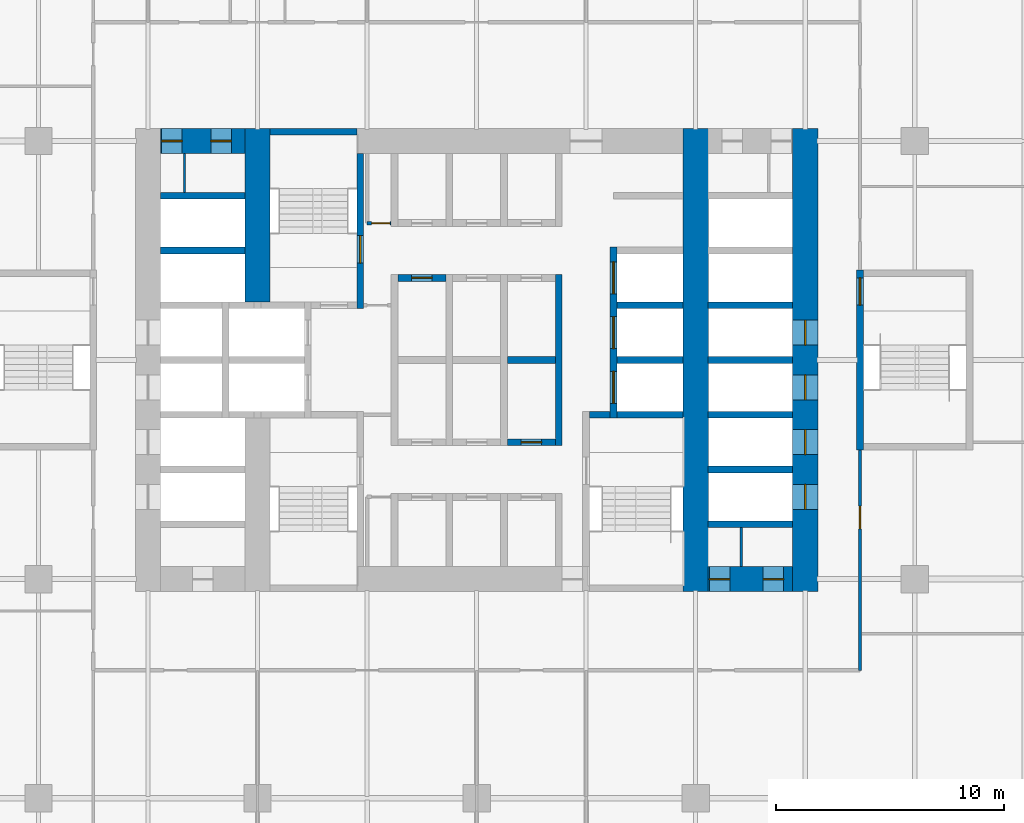
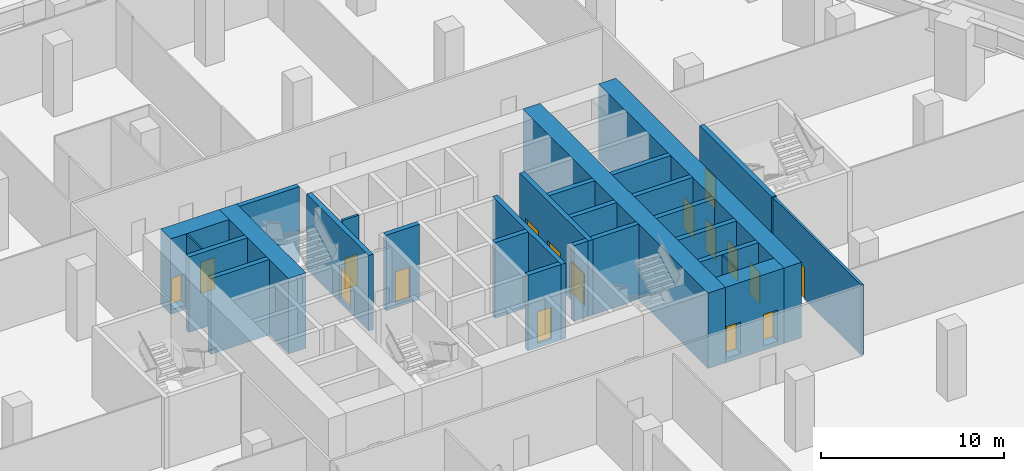
# One storey, part 21 of 34: 28 walls, 17 doors, 17 openings.
"""IFC4 building model written with IfcOpenShell, lengths in metres."""

import ifcopenshell
import ifcopenshell.guid

model = None  # the IFC model being written
_history = None  # IfcOwnerHistory: only IFC2X3 demands one
_inside = {}  # id of a spatial element -> (the spatial element, [elements in it])
_under = {}  # id of a project, library or spatial element -> (it, [spatial elements below it])
_declared = {}  # id of a project -> (the project, [libraries it declares])
_typed = {}  # id of a type object -> (the type object, [elements of that type])
_made_of = {}  # id of a material, layer set ... -> (it, [elements and type objects made of it])


def new_model(schema):
    """Start an empty IFC model of exactly this schema.

    Asked for "IFC4X3", IfcOpenShell would pick the latest addendum, in which some entities
    have other attributes; the version numbers below select the first issue.
    IFC2X3 requires an IfcOwnerHistory on every rooted entity: one is made here for all.
    """
    global model, _history
    if schema == "IFC4X3":
        model = ifcopenshell.file(schema_version=(4, 3, 0, 0))
    else:
        model = ifcopenshell.file(schema=schema)
    _inside.clear()
    _under.clear()
    _declared.clear()
    _typed.clear()
    _made_of.clear()
    _history = None
    if model.schema == "IFC2X3":
        org = make("IfcOrganization", Name="unknown")
        user = make(
            "IfcPersonAndOrganization",
            ThePerson=make("IfcPerson", FamilyName="unknown"),
            TheOrganization=org,
        )
        app = make(
            "IfcApplication",
            ApplicationDeveloper=org,
            Version="unknown",
            ApplicationFullName="unknown",
            ApplicationIdentifier="unknown",
        )
        _history = make(
            "IfcOwnerHistory",
            OwningUser=user,
            OwningApplication=app,
            ChangeAction="ADDED",
            CreationDate=0,
        )
    return model


def make(cls, **values):
    """One entity of the class cls with the attributes given. An attribute that is None is left unset."""
    return model.create_entity(
        cls, **{name: value for name, value in values.items() if value is not None}
    )


def rooted(cls, **values):
    """An entity with a GlobalId (a new one), such as an element, a storey or a relation."""
    return make(cls, GlobalId=ifcopenshell.guid.new(), OwnerHistory=_history, **values)


def si_unit(unit_type, name, prefix=None):
    """IfcSIUnit, for example si_unit("LENGTHUNIT", "METRE", prefix="MILLI")."""
    return make("IfcSIUnit", UnitType=unit_type, Prefix=prefix, Name=name)


def assignment(units):
    """IfcUnitAssignment: the units of a project."""
    return None if units is None else make("IfcUnitAssignment", Units=units)


def point(xyz):
    """IfcCartesianPoint."""
    return None if xyz is None else make("IfcCartesianPoint", Coordinates=xyz)


def direction(xyz):
    """IfcDirection."""
    return None if xyz is None else make("IfcDirection", DirectionRatios=xyz)


def frame(location, z_axis=None, x_axis=None):
    """IfcAxis2Placement3D, a coordinate frame: its origin and axes. An axis left out is left unset."""
    return make(
        "IfcAxis2Placement3D",
        Location=point(location),
        Axis=direction(z_axis),
        RefDirection=direction(x_axis),
    )


def frame_2d(location, x_axis=None):
    """IfcAxis2Placement2D, a coordinate frame in the plane: its origin and x axis."""
    return make(
        "IfcAxis2Placement2D", Location=point(location), RefDirection=direction(x_axis)
    )


def origin():
    """The frame at (0, 0, 0) with its axes left unset."""
    return frame((0.0, 0.0, 0.0))


def place(relative_to, where):
    """IfcLocalPlacement: puts the frame where relative to a parent placement (None: the world)."""
    return make(
        "IfcLocalPlacement", PlacementRelTo=relative_to, RelativePlacement=where
    )


def context(
    kind, dimensions, precision=None, world=None, true_north=None, identifier=None
):
    """IfcGeometricRepresentationContext, for example the 3D "Model" context."""
    return make(
        "IfcGeometricRepresentationContext",
        ContextIdentifier=identifier,
        ContextType=kind,
        CoordinateSpaceDimension=dimensions,
        Precision=precision,
        WorldCoordinateSystem=world,
        TrueNorth=true_north,
    )


def subcontext(parent, identifier, kind, view, scale=None):
    """IfcGeometricRepresentationSubContext, for example "Body" below "Model"."""
    return make(
        "IfcGeometricRepresentationSubContext",
        ContextIdentifier=identifier,
        ContextType=kind,
        ParentContext=parent,
        TargetScale=scale,
        TargetView=view,
    )


def project(units=None, contexts=None):
    """IfcProject with its units and contexts."""
    return rooted(
        "IfcProject",
        Name="project",
        RepresentationContexts=contexts,
        UnitsInContext=assignment(units),
    )


def spatial(cls, under=None, at=None, **own):
    """A site, building, storey or space (cls), placed at a placement, below another one or the project."""
    s = rooted(cls, ObjectPlacement=at, **own)
    if under is not None:
        _under.setdefault(under.id(), (under, []))[1].append(s)
    return s


def profile(cls, at=None, kind="AREA", **sizes):
    """A parametric profile (cls). Its sizes go by their IFC names, for example OverallWidth=200.0."""
    return make(cls, ProfileType=kind, Position=at, **sizes)


def rectangle(**sizes):
    """IfcRectangleProfileDef."""
    return profile("IfcRectangleProfileDef", **sizes)


def extrude(swept, where, along, depth):
    """IfcExtrudedAreaSolid: the profile swept, set in the frame where, extruded along a direction by depth."""
    return make(
        "IfcExtrudedAreaSolid",
        SweptArea=swept,
        Position=where,
        ExtrudedDirection=direction(along),
        Depth=depth,
    )


def shape(context_of_items, identifier, shape_type, items):
    """IfcShapeRepresentation: the items that make up one representation, for example the "Body"."""
    return make(
        "IfcShapeRepresentation",
        ContextOfItems=context_of_items,
        RepresentationIdentifier=identifier,
        RepresentationType=shape_type,
        Items=items,
    )


def material(Name=None, Category=None):
    """IfcMaterial."""
    return make("IfcMaterial", Name=Name, Category=Category)


def layer(
    of_material, thickness, ventilated=None, Name=None, Category=None, Priority=None
):
    """IfcMaterialLayer: one layer of a wall or slab, of a material (None: an air gap)."""
    return make(
        "IfcMaterialLayer",
        Material=of_material,
        LayerThickness=thickness,
        IsVentilated=ventilated,
        Name=Name,
        Category=Category,
        Priority=Priority,
    )


def layer_set(layers, Name=None):
    """IfcMaterialLayerSet."""
    return make("IfcMaterialLayerSet", MaterialLayers=layers, LayerSetName=Name)


def made_of(thing, what):
    """Note that an element or type object is made of a material, layer set ...; save() writes the relation."""
    if what is not None:
        _made_of.setdefault(what.id(), (what, []))[1].append(thing)
    return thing


def type_object(cls, material=None, **own):
    """A type object (cls), such as IfcWallType, which elements share."""
    return made_of(rooted(cls, **own), material)


def element(
    cls,
    number,
    at=None,
    inside=None,
    cuts=None,
    type_object=None,
    material=None,
    context=None,
    identifier="Body",
    shape_type=None,
    held_by="IfcProductDefinitionShape",
    body=None,
    shapes=None,
    **own,
):
    """One element of the class cls, such as IfcWall. Its Tag is "e" and its number.

    at: its placement. inside: the storey or other place that contains it. cuts: it is an
    opening in that element (IfcRelVoidsElement). A single representation is given by context,
    identifier, shape_type and body (its items); several are given by shapes. held_by: the class
    of the entity that holds the representations. save() writes the other relations.
    """
    e = rooted(cls, Tag="e%d" % number, ObjectPlacement=at, **own)
    if body is not None:
        shapes = [shape(context, identifier, shape_type, body)]
    if shapes is not None:
        e.Representation = make(held_by, Representations=shapes)
    if inside is not None:
        _inside.setdefault(inside.id(), (inside, []))[1].append(e)
    if cuts is not None:
        rooted(
            "IfcRelVoidsElement", RelatingBuildingElement=cuts, RelatedOpeningElement=e
        )
    if type_object is not None:
        _typed.setdefault(type_object.id(), (type_object, []))[1].append(e)
    return made_of(e, material)


def fill(opening, filler):
    """IfcRelFillsElement: the door or window that sits in an opening."""
    return rooted(
        "IfcRelFillsElement",
        RelatingOpeningElement=opening,
        RelatedBuildingElement=filler,
    )


def aggregate(whole, parts):
    """IfcRelAggregates: a whole, such as a stair, and the parts it consists of."""
    return rooted("IfcRelAggregates", RelatingObject=whole, RelatedObjects=parts)


def save(model, path):
    """Write the relations noted so far, then the file.

    IfcRelAggregates (storeys below a building ...), IfcRelContainedInSpatialStructure (elements
    in a storey), IfcRelDefinesByType, IfcRelAssociatesMaterial and IfcRelDeclares: one each for
    every whole, place, type object, material and project.
    """
    for whole, parts in _under.values():
        aggregate(whole, parts)
    for where, things in _inside.values():
        rooted(
            "IfcRelContainedInSpatialStructure",
            RelatedElements=things,
            RelatingStructure=where,
        )
    for kind, things in _typed.values():
        rooted("IfcRelDefinesByType", RelatedObjects=things, RelatingType=kind)
    for what, things in _made_of.values():
        rooted("IfcRelAssociatesMaterial", RelatedObjects=things, RelatingMaterial=what)
    for by, libraries in _declared.values():
        rooted("IfcRelDeclares", RelatingContext=by, RelatedDefinitions=libraries)
    model.write(path)


model = new_model("IFC4")

# Units and contexts
model_context = context("Model", 3, precision=1e-05, world=origin(), true_north=direction((0.0, 1.0)))
body_context = subcontext(model_context, "Body", "Model", "MODEL_VIEW")
ifc_project = project(units=[si_unit("LENGTHUNIT", "METRE"), si_unit("AREAUNIT", "SQUARE_METRE"), si_unit("VOLUMEUNIT", "CUBIC_METRE"), si_unit("PLANEANGLEUNIT", "RADIAN"), si_unit("MASSUNIT", "GRAM", prefix="KILO")], contexts=[model_context])

# Site, building, storey
site_placement = place(None, origin())
site = spatial("IfcSite", under=ifc_project, at=site_placement, CompositionType="ELEMENT")
building_placement = place(site_placement, origin())
building = spatial("IfcBuilding", under=site, at=building_placement, Name="Kolab Exchange Tower", CompositionType="ELEMENT")
storey_placement = place(building_placement, frame((0.0, 0.0, 12.39990234375)))
storey = spatial("IfcBuildingStorey", under=building, at=storey_placement, Name="L02", CompositionType="ELEMENT", Elevation=12.39990234375)

# Wall, openings, doors
ifc_material_1 = material(Name="Concrete C80/95", Category="concrete")
ifc_layer_1 = layer(ifc_material_1, 1.10009765625)
ifc_layer_set_1 = layer_set([ifc_layer_1], Name="Concrete C80/95")
wall_type_1 = type_object("IfcWallType", Name="CORE WALL 1100 C80/95", PredefinedType="SHEAR", material=ifc_layer_set_1)
wall_1_placement = place(storey_placement, frame((10.14990234375, -9.60009765625, -0.2998046875), z_axis=(0.0, 0.0, 1.0), x_axis=(1.0, 0.0, 0.0)))
wall_1 = element("IfcWall", 1, at=wall_1_placement, inside=storey, type_object=wall_type_1, Name="wall/L02/core/004", PredefinedType="SHEAR", context=body_context, shape_type="SweptSolid", body=[
    extrude(rectangle(XDim=3.7001953125, YDim=1.10009765625, at=frame_2d((1.85009765625, 0.0))), origin(), (0.0, 0.0, 1.0), 5.0498046875),
])
opening_1_placement = place(wall_1_placement, frame((0.050048828125, 0.0, 0.300048828125)))
opening_1 = element("IfcOpeningElement", 2, at=opening_1_placement, cuts=wall_1, Name="Opening D6-059", PredefinedType="OPENING", context=body_context, shape_type="SweptSolid", body=[
    extrude(rectangle(XDim=0.89990234375, YDim=2.10009765625, at=frame_2d((0.449951171875, 1.050048828125))), frame((0.0, 0.56005859375, 0.0), z_axis=(0.0, -1.0, 0.0), x_axis=(1.0, 0.0, 0.0)), (0.0, 0.0, 1.0), 1.1201171875),
])
opening_2_placement = place(wall_1_placement, frame((2.39990234375, 0.0, 0.300048828125)))
opening_2 = element("IfcOpeningElement", 3, at=opening_2_placement, cuts=wall_1, Name="Opening D6-060", PredefinedType="OPENING", context=body_context, shape_type="SweptSolid", body=[
    extrude(rectangle(XDim=0.89990234375, YDim=2.10009765625, at=frame_2d((0.449951171875, 1.050048828125))), frame((0.0, 0.56005859375, 0.0), z_axis=(0.0, -1.0, 0.0), x_axis=(1.0, 0.0, 0.0)), (0.0, 0.0, 1.0), 1.1201171875),
])
ifc_material_2 = material(Name="Steel S235", Category="steel")
door_type_1 = type_object("IfcDoorType", Name="CORE DOOR 900 EI 120", OperationType="SINGLE_SWING_LEFT", PredefinedType="DOOR", material=ifc_material_2)
door_1_placement = place(opening_1_placement, origin())
door_1 = element("IfcDoor", 4, at=door_1_placement, inside=storey, type_object=door_type_1, Name="Service room door", OperationType="SINGLE_SWING_RIGHT", OverallHeight=2.10009765625, OverallWidth=0.89990234375, PredefinedType="DOOR", context=body_context, shape_type="SweptSolid", body=[
    extrude(rectangle(XDim=0.89990234375, YDim=2.10009765625, at=frame_2d((0.449951171875, 1.050048828125))), frame((0.0, 0.02490234375, 0.0), z_axis=(0.0, -1.0, 0.0), x_axis=(1.0, 0.0, 0.0)), (0.0, 0.0, 1.0), 0.050048828125),
])
fill(opening_1, door_1)
door_2_placement = place(opening_2_placement, origin())
door_2 = element("IfcDoor", 5, at=door_2_placement, inside=storey, type_object=door_type_1, Name="Service room door", OperationType="SINGLE_SWING_LEFT", OverallHeight=2.10009765625, OverallWidth=0.89990234375, PredefinedType="DOOR", context=body_context, shape_type="SweptSolid", body=[
    extrude(rectangle(XDim=0.89990234375, YDim=2.10009765625, at=frame_2d((0.449951171875, 1.050048828125))), frame((0.0, 0.02490234375, 0.0), z_axis=(0.0, -1.0, 0.0), x_axis=(1.0, 0.0, 0.0)), (0.0, 0.0, 1.0), 0.050048828125),
])
fill(opening_2, door_2)

wall_2_placement = place(storey_placement, frame((-13.85009765625, 9.60009765625, -0.2998046875), z_axis=(0.0, 0.0, 1.0), x_axis=(1.0, 0.0, 0.0)))
wall_2 = element("IfcWall", 6, at=wall_2_placement, inside=storey, type_object=wall_type_1, Name="wall/L02/core/051", PredefinedType="SHEAR", context=body_context, shape_type="SweptSolid", body=[
    extrude(rectangle(XDim=3.7001953125, YDim=1.10009765625, at=frame_2d((1.85009765625, 0.0))), origin(), (0.0, 0.0, 1.0), 5.0498046875),
])
opening_3_placement = place(wall_2_placement, frame((0.050048828125, 0.0, 0.300048828125)))
opening_3 = element("IfcOpeningElement", 7, at=opening_3_placement, cuts=wall_2, Name="Opening D6-057", PredefinedType="OPENING", context=body_context, shape_type="SweptSolid", body=[
    extrude(rectangle(XDim=0.89990234375, YDim=2.10009765625, at=frame_2d((0.449951171875, 1.050048828125))), frame((0.0, 0.56005859375, 0.0), z_axis=(0.0, -1.0, 0.0), x_axis=(1.0, 0.0, 0.0)), (0.0, 0.0, 1.0), 1.1201171875),
])
opening_4_placement = place(wall_2_placement, frame((2.199951171875, 0.0, 0.300048828125)))
opening_4 = element("IfcOpeningElement", 8, at=opening_4_placement, cuts=wall_2, Name="Opening D6-058", PredefinedType="OPENING", context=body_context, shape_type="SweptSolid", body=[
    extrude(rectangle(XDim=0.89990234375, YDim=2.10009765625, at=frame_2d((0.449951171875, 1.050048828125))), frame((0.0, 0.56005859375, 0.0), z_axis=(0.0, -1.0, 0.0), x_axis=(1.0, 0.0, 0.0)), (0.0, 0.0, 1.0), 1.1201171875),
])
door_3_placement = place(opening_3_placement, frame((0.89990234375, 0.0, 0.0), z_axis=(0.0, 0.0, 1.0), x_axis=(-1.0, 0.0, 0.0)))
door_3 = element("IfcDoor", 9, at=door_3_placement, inside=storey, type_object=door_type_1, Name="Service room door", OperationType="SINGLE_SWING_RIGHT", OverallHeight=2.10009765625, OverallWidth=0.89990234375, PredefinedType="DOOR", context=body_context, shape_type="SweptSolid", body=[
    extrude(rectangle(XDim=0.89990234375, YDim=2.10009765625, at=frame_2d((0.449951171875, 1.050048828125))), frame((0.0, 0.02490234375, 0.0), z_axis=(0.0, -1.0, 0.0), x_axis=(1.0, 0.0, 0.0)), (0.0, 0.0, 1.0), 0.050048828125),
])
fill(opening_3, door_3)
door_4_placement = place(opening_4_placement, frame((0.89990234375, 0.0, 0.0), z_axis=(0.0, 0.0, 1.0), x_axis=(-1.0, 0.0, 0.0)))
door_4 = element("IfcDoor", 10, at=door_4_placement, inside=storey, type_object=door_type_1, Name="Service room door", OperationType="SINGLE_SWING_RIGHT", OverallHeight=2.10009765625, OverallWidth=0.89990234375, PredefinedType="DOOR", context=body_context, shape_type="SweptSolid", body=[
    extrude(rectangle(XDim=0.89990234375, YDim=2.10009765625, at=frame_2d((0.449951171875, 1.050048828125))), frame((0.0, 0.02490234375, 0.0), z_axis=(0.0, -1.0, 0.0), x_axis=(1.0, 0.0, 0.0)), (0.0, 0.0, 1.0), 0.050048828125),
])
fill(opening_4, door_4)

# Walls
wall_3_placement = place(storey_placement, frame((-9.60009765625, 2.550048828125, -0.2998046875), z_axis=(0.0, 0.0, 1.0), x_axis=(0.0, 1.0, 0.0)))
element("IfcWall", 11, at=wall_3_placement, inside=storey, type_object=wall_type_1, Name="wall/L02/core/062", PredefinedType="SHEAR", context=body_context, shape_type="SweptSolid", body=[
    extrude(rectangle(XDim=7.599853515625, YDim=1.10009765625, at=frame_2d((3.7998046875, 0.0))), origin(), (0.0, 0.0, 1.0), 5.0498046875),
])
wall_4_placement = place(storey_placement, frame((9.60009765625, -10.14990234375, -0.2998046875), z_axis=(0.0, 0.0, 1.0), x_axis=(0.0, 1.0, 0.0)))
element("IfcWall", 12, at=wall_4_placement, inside=storey, type_object=wall_type_1, Name="wall/L02/core/080", PredefinedType="SHEAR", context=body_context, shape_type="SweptSolid", body=[
    extrude(rectangle(XDim=20.2998046875, YDim=1.10009765625, at=frame_2d((10.14990234375, 0.0))), origin(), (0.0, 0.0, 1.0), 5.0498046875),
])

# Wall, openings, doors
wall_5_placement = place(storey_placement, frame((14.39990234375, -10.14990234375, -0.2998046875), z_axis=(0.0, 0.0, 1.0), x_axis=(0.0, 1.0, 0.0)))
wall_5 = element("IfcWall", 13, at=wall_5_placement, inside=storey, type_object=wall_type_1, Name="wall/L02/core/081", PredefinedType="SHEAR", context=body_context, shape_type="SweptSolid", body=[
    extrude(rectangle(XDim=20.2998046875, YDim=1.10009765625, at=frame_2d((10.14990234375, 0.0))), origin(), (0.0, 0.0, 1.0), 5.0498046875),
])
opening_5_placement = place(wall_5_placement, frame((3.60009765625, 0.0, 0.300048828125)))
opening_5 = element("IfcOpeningElement", 14, at=opening_5_placement, cuts=wall_5, Name="Opening LD1-021", PredefinedType="OPENING", context=body_context, shape_type="SweptSolid", body=[
    extrude(rectangle(XDim=1.10009765625, YDim=2.10009765625, at=frame_2d((0.550048828125, 1.050048828125))), frame((0.0, 0.56005859375, 0.0), z_axis=(0.0, -1.0, 0.0), x_axis=(1.0, 0.0, 0.0)), (0.0, 0.0, 1.0), 1.1201171875),
])
opening_6_placement = place(wall_5_placement, frame((6.0, 0.0, 0.300048828125)))
opening_6 = element("IfcOpeningElement", 15, at=opening_6_placement, cuts=wall_5, Name="Opening LD1-022", PredefinedType="OPENING", context=body_context, shape_type="SweptSolid", body=[
    extrude(rectangle(XDim=1.10009765625, YDim=2.10009765625, at=frame_2d((0.550048828125, 1.050048828125))), frame((0.0, 0.56005859375, 0.0), z_axis=(0.0, -1.0, 0.0), x_axis=(1.0, 0.0, 0.0)), (0.0, 0.0, 1.0), 1.1201171875),
])
opening_7_placement = place(wall_5_placement, frame((8.39990234375, 0.0, 0.300048828125)))
opening_7 = element("IfcOpeningElement", 16, at=opening_7_placement, cuts=wall_5, Name="Opening LD1-023", PredefinedType="OPENING", context=body_context, shape_type="SweptSolid", body=[
    extrude(rectangle(XDim=1.10009765625, YDim=2.10009765625, at=frame_2d((0.550048828125, 1.050048828125))), frame((0.0, 0.56005859375, 0.0), z_axis=(0.0, -1.0, 0.0), x_axis=(1.0, 0.0, 0.0)), (0.0, 0.0, 1.0), 1.1201171875),
])
opening_8_placement = place(wall_5_placement, frame((10.800048828125, 0.0, 0.300048828125)))
opening_8 = element("IfcOpeningElement", 17, at=opening_8_placement, cuts=wall_5, Name="Opening LD1-024", PredefinedType="OPENING", context=body_context, shape_type="SweptSolid", body=[
    extrude(rectangle(XDim=1.10009765625, YDim=2.10009765625, at=frame_2d((0.550048828125, 1.050048828125))), frame((0.0, 0.56005859375, 0.0), z_axis=(0.0, -1.0, 0.0), x_axis=(1.0, 0.0, 0.0)), (0.0, 0.0, 1.0), 1.1201171875),
])
ifc_material_3 = material(Name="Stainless steel 316", Category="steel")
door_type_2 = type_object("IfcDoorType", Name="LANDING DOOR 1100 PASSENGER", OperationType="DOUBLE_DOOR_SLIDING", PredefinedType="DOOR", material=ifc_material_3)
door_5_placement = place(opening_5_placement, origin())
door_5 = element("IfcDoor", 18, at=door_5_placement, inside=storey, type_object=door_type_2, Name="Landing door LR1", OperationType="DOUBLE_DOOR_SLIDING", OverallHeight=2.10009765625, OverallWidth=1.10009765625, PredefinedType="DOOR", context=body_context, shape_type="SweptSolid", body=[
    extrude(rectangle(XDim=1.10009765625, YDim=2.10009765625, at=frame_2d((0.550048828125, 1.050048828125))), frame((0.0, 0.02490234375, 0.0), z_axis=(0.0, -1.0, 0.0), x_axis=(1.0, 0.0, 0.0)), (0.0, 0.0, 1.0), 0.050048828125),
])
fill(opening_5, door_5)
door_6_placement = place(opening_6_placement, origin())
door_6 = element("IfcDoor", 19, at=door_6_placement, inside=storey, type_object=door_type_2, Name="Landing door LR2", OperationType="DOUBLE_DOOR_SLIDING", OverallHeight=2.10009765625, OverallWidth=1.10009765625, PredefinedType="DOOR", context=body_context, shape_type="SweptSolid", body=[
    extrude(rectangle(XDim=1.10009765625, YDim=2.10009765625, at=frame_2d((0.550048828125, 1.050048828125))), frame((0.0, 0.02490234375, 0.0), z_axis=(0.0, -1.0, 0.0), x_axis=(1.0, 0.0, 0.0)), (0.0, 0.0, 1.0), 0.050048828125),
])
fill(opening_6, door_6)
door_7_placement = place(opening_7_placement, origin())
door_7 = element("IfcDoor", 20, at=door_7_placement, inside=storey, type_object=door_type_2, Name="Landing door LR3", OperationType="DOUBLE_DOOR_SLIDING", OverallHeight=2.10009765625, OverallWidth=1.10009765625, PredefinedType="DOOR", context=body_context, shape_type="SweptSolid", body=[
    extrude(rectangle(XDim=1.10009765625, YDim=2.10009765625, at=frame_2d((0.550048828125, 1.050048828125))), frame((0.0, 0.02490234375, 0.0), z_axis=(0.0, -1.0, 0.0), x_axis=(1.0, 0.0, 0.0)), (0.0, 0.0, 1.0), 0.050048828125),
])
fill(opening_7, door_7)
door_8_placement = place(opening_8_placement, origin())
door_8 = element("IfcDoor", 21, at=door_8_placement, inside=storey, type_object=door_type_2, Name="Landing door LR4", OperationType="DOUBLE_DOOR_SLIDING", OverallHeight=2.10009765625, OverallWidth=1.10009765625, PredefinedType="DOOR", context=body_context, shape_type="SweptSolid", body=[
    extrude(rectangle(XDim=1.10009765625, YDim=2.10009765625, at=frame_2d((0.550048828125, 1.050048828125))), frame((0.0, 0.02490234375, 0.0), z_axis=(0.0, -1.0, 0.0), x_axis=(1.0, 0.0, 0.0)), (0.0, 0.0, 1.0), 0.050048828125),
])
fill(opening_8, door_8)

# Walls
ifc_material_4 = material(Name="Concrete C50/60", Category="concrete")
ifc_layer_2 = layer(ifc_material_4, 0.300048828125)
ifc_layer_set_2 = layer_set([ifc_layer_2], Name="Concrete C50/60")
wall_type_2 = type_object("IfcWallType", Name="LIFT SHAFT WALL 300 C50/60", PredefinedType="STANDARD", material=ifc_layer_set_2)
for number, where, z_axis, x_axis, name in (
    (22, (10.14990234375, -7.199951171875, -0.2998046875), (0.0, 0.0, 1.0), (1.0, 0.0, 0.0), "wall/L02/core/006"),
    (23, (10.14990234375, -4.800048828125, -0.2998046875), (0.0, 0.0, 1.0), (1.0, 0.0, 0.0), "wall/L02/core/011"),
):
    element("IfcWall", number, at=place(storey_placement, frame(where, z_axis=z_axis, x_axis=x_axis)), inside=storey, type_object=wall_type_2, Name=name, PredefinedType="STANDARD", context=body_context, shape_type="SweptSolid", body=[
        extrude(rectangle(XDim=3.7001953125, YDim=0.300048828125, at=frame_2d((1.85009765625, 0.0))), origin(), (0.0, 0.0, 1.0), 5.0498046875),
    ])

# Wall, opening, door
wall_6_placement = place(storey_placement, frame((1.35009765625, -3.60009765625, -0.2998046875), z_axis=(0.0, 0.0, 1.0), x_axis=(1.0, 0.0, 0.0)))
wall_6 = element("IfcWall", 24, at=wall_6_placement, inside=storey, type_object=wall_type_2, Name="wall/L02/core/016", PredefinedType="STANDARD", context=body_context, shape_type="SweptSolid", body=[
    extrude(rectangle(XDim=2.099853515625, YDim=0.300048828125, at=frame_2d((1.0498046875, 0.0))), origin(), (0.0, 0.0, 1.0), 5.0498046875),
])
opening_9_placement = place(wall_6_placement, frame((0.60009765625, 0.0, 0.300048828125)))
opening_9 = element("IfcOpeningElement", 25, at=opening_9_placement, cuts=wall_6, Name="Opening D6-049", PredefinedType="OPENING", context=body_context, shape_type="SweptSolid", body=[
    extrude(rectangle(XDim=0.89990234375, YDim=2.10009765625, at=frame_2d((0.449951171875, 1.050048828125))), frame((0.0, 0.16015625, 0.0), z_axis=(0.0, -1.0, 0.0), x_axis=(1.0, 0.0, 0.0)), (0.0, 0.0, 1.0), 0.320068359375),
])
door_9_placement = place(opening_9_placement, origin())
door_9 = element("IfcDoor", 26, at=door_9_placement, inside=storey, type_object=door_type_1, Name="Service room door", OperationType="SINGLE_SWING_RIGHT", OverallHeight=2.10009765625, OverallWidth=0.89990234375, PredefinedType="DOOR", context=body_context, shape_type="SweptSolid", body=[
    extrude(rectangle(XDim=0.89990234375, YDim=2.10009765625, at=frame_2d((0.449951171875, 1.050048828125))), frame((0.0, 0.02490234375, 0.0), z_axis=(0.0, -1.0, 0.0), x_axis=(1.0, 0.0, 0.0)), (0.0, 0.0, 1.0), 0.050048828125),
])
fill(opening_9, door_9)

# Walls
wall_7_placement = place(storey_placement, frame((10.14990234375, -2.39990234375, -0.2998046875), z_axis=(0.0, 0.0, 1.0), x_axis=(1.0, 0.0, 0.0)))
element("IfcWall", 27, at=wall_7_placement, inside=storey, type_object=wall_type_2, Name="wall/L02/core/023", PredefinedType="STANDARD", context=body_context, shape_type="SweptSolid", body=[
    extrude(rectangle(XDim=3.7001953125, YDim=0.300048828125, at=frame_2d((1.85009765625, 0.0))), origin(), (0.0, 0.0, 1.0), 5.0498046875),
])
wall_8_placement = place(storey_placement, frame((1.35009765625, 0.0, -0.2998046875), z_axis=(0.0, 0.0, 1.0), x_axis=(1.0, 0.0, 0.0)))
element("IfcWall", 28, at=wall_8_placement, inside=storey, type_object=wall_type_2, Name="wall/L02/core/028", PredefinedType="STANDARD", context=body_context, shape_type="SweptSolid", body=[
    extrude(rectangle(XDim=2.099853515625, YDim=0.300048828125, at=frame_2d((1.0498046875, 0.0))), origin(), (0.0, 0.0, 1.0), 5.0498046875),
])
wall_9_placement = place(storey_placement, frame((6.14990234375, 0.0, -0.2998046875), z_axis=(0.0, 0.0, 1.0), x_axis=(1.0, 0.0, 0.0)))
element("IfcWall", 29, at=wall_9_placement, inside=storey, type_object=wall_type_2, Name="wall/L02/core/029", PredefinedType="STANDARD", context=body_context, shape_type="SweptSolid", body=[
    extrude(rectangle(XDim=2.900146484375, YDim=0.300048828125, at=frame_2d((1.4501953125, 0.0))), origin(), (0.0, 0.0, 1.0), 5.0498046875),
])
wall_10_placement = place(storey_placement, frame((10.14990234375, 0.0, -0.2998046875), z_axis=(0.0, 0.0, 1.0), x_axis=(1.0, 0.0, 0.0)))
element("IfcWall", 30, at=wall_10_placement, inside=storey, type_object=wall_type_2, Name="wall/L02/core/030", PredefinedType="STANDARD", context=body_context, shape_type="SweptSolid", body=[
    extrude(rectangle(XDim=3.7001953125, YDim=0.300048828125, at=frame_2d((1.85009765625, 0.0))), origin(), (0.0, 0.0, 1.0), 5.0498046875),
])
wall_11_placement = place(storey_placement, frame((6.14990234375, 2.39990234375, -0.2998046875), z_axis=(0.0, 0.0, 1.0), x_axis=(1.0, 0.0, 0.0)))
element("IfcWall", 31, at=wall_11_placement, inside=storey, type_object=wall_type_2, Name="wall/L02/core/035", PredefinedType="STANDARD", context=body_context, shape_type="SweptSolid", body=[
    extrude(rectangle(XDim=2.900146484375, YDim=0.300048828125, at=frame_2d((1.4501953125, 0.0))), origin(), (0.0, 0.0, 1.0), 5.0498046875),
])
wall_12_placement = place(storey_placement, frame((10.14990234375, 2.39990234375, -0.2998046875), z_axis=(0.0, 0.0, 1.0), x_axis=(1.0, 0.0, 0.0)))
element("IfcWall", 32, at=wall_12_placement, inside=storey, type_object=wall_type_2, Name="wall/L02/core/036", PredefinedType="STANDARD", context=body_context, shape_type="SweptSolid", body=[
    extrude(rectangle(XDim=3.7001953125, YDim=0.300048828125, at=frame_2d((1.85009765625, 0.0))), origin(), (0.0, 0.0, 1.0), 5.0498046875),
])

# Wall, opening, door
wall_13_placement = place(storey_placement, frame((-3.449951171875, 3.60009765625, -0.2998046875), z_axis=(0.0, 0.0, 1.0), x_axis=(1.0, 0.0, 0.0)))
wall_13 = element("IfcWall", 33, at=wall_13_placement, inside=storey, type_object=wall_type_2, Name="wall/L02/core/037", PredefinedType="STANDARD", context=body_context, shape_type="SweptSolid", body=[
    extrude(rectangle(XDim=2.099853515625, YDim=0.300048828125, at=frame_2d((1.0498046875, 0.0))), origin(), (0.0, 0.0, 1.0), 5.0498046875),
])
opening_10_placement = place(wall_13_placement, frame((0.60009765625, 0.0, 0.300048828125)))
opening_10 = element("IfcOpeningElement", 34, at=opening_10_placement, cuts=wall_13, Name="Opening D6-048", PredefinedType="OPENING", context=body_context, shape_type="SweptSolid", body=[
    extrude(rectangle(XDim=0.89990234375, YDim=2.10009765625, at=frame_2d((0.449951171875, 1.050048828125))), frame((0.0, 0.16015625, 0.0), z_axis=(0.0, -1.0, 0.0), x_axis=(1.0, 0.0, 0.0)), (0.0, 0.0, 1.0), 0.320068359375),
])
door_10_placement = place(opening_10_placement, frame((0.89990234375, 0.0, 0.0), z_axis=(0.0, 0.0, 1.0), x_axis=(-1.0, 0.0, 0.0)))
door_10 = element("IfcDoor", 35, at=door_10_placement, inside=storey, type_object=door_type_1, Name="Service room door", OperationType="SINGLE_SWING_LEFT", OverallHeight=2.10009765625, OverallWidth=0.89990234375, PredefinedType="DOOR", context=body_context, shape_type="SweptSolid", body=[
    extrude(rectangle(XDim=0.89990234375, YDim=2.10009765625, at=frame_2d((0.449951171875, 1.050048828125))), frame((0.0, 0.02490234375, 0.0), z_axis=(0.0, -1.0, 0.0), x_axis=(1.0, 0.0, 0.0)), (0.0, 0.0, 1.0), 0.050048828125),
])
fill(opening_10, door_10)

# Walls
for number, where, z_axis, x_axis, name in (
    (36, (-13.85009765625, 4.800048828125, -0.2998046875), (0.0, 0.0, 1.0), (1.0, 0.0, 0.0), "wall/L02/core/042"),
    (37, (-13.85009765625, 7.199951171875, -0.2998046875), (0.0, 0.0, 1.0), (1.0, 0.0, 0.0), "wall/L02/core/048"),
):
    element("IfcWall", number, at=place(storey_placement, frame(where, z_axis=z_axis, x_axis=x_axis)), inside=storey, type_object=wall_type_2, Name=name, PredefinedType="STANDARD", context=body_context, shape_type="SweptSolid", body=[
        extrude(rectangle(XDim=3.7001953125, YDim=0.300048828125, at=frame_2d((1.85009765625, 0.0))), origin(), (0.0, 0.0, 1.0), 5.0498046875),
    ])
wall_14_placement = place(storey_placement, frame((3.60009765625, -3.75, -0.2998046875), z_axis=(0.0, 0.0, 1.0), x_axis=(0.0, 1.0, 0.0)))
element("IfcWall", 38, at=wall_14_placement, inside=storey, type_object=wall_type_2, Name="wall/L02/core/076", PredefinedType="STANDARD", context=body_context, shape_type="SweptSolid", body=[
    extrude(rectangle(XDim=7.5, YDim=0.300048828125, at=frame_2d((3.75, 0.0))), origin(), (0.0, 0.0, 1.0), 5.0498046875),
])

# Wall, openings, doors
wall_15_placement = place(storey_placement, frame((6.0, -2.550048828125, -0.2998046875), z_axis=(0.0, 0.0, 1.0), x_axis=(0.0, 1.0, 0.0)))
wall_15 = element("IfcWall", 39, at=wall_15_placement, inside=storey, type_object=wall_type_2, Name="wall/L02/core/079", PredefinedType="STANDARD", context=body_context, shape_type="SweptSolid", body=[
    extrude(rectangle(XDim=7.5, YDim=0.300048828125, at=frame_2d((3.75, 0.0))), origin(), (0.0, 0.0, 1.0), 5.0498046875),
])
opening_11_placement = place(wall_15_placement, frame((0.64990234375, 0.0, 0.300048828125)))
opening_11 = element("IfcOpeningElement", 40, at=opening_11_placement, cuts=wall_15, Name="Opening LD3-007", PredefinedType="OPENING", context=body_context, shape_type="SweptSolid", body=[
    extrude(rectangle(XDim=1.39990234375, YDim=2.10009765625, at=frame_2d((0.699951171875, 1.050048828125))), frame((0.0, 0.16015625, 0.0), z_axis=(0.0, -1.0, 0.0), x_axis=(1.0, 0.0, 0.0)), (0.0, 0.0, 1.0), 0.320068359375),
])
opening_12_placement = place(wall_15_placement, frame((3.050048828125, 0.0, 0.300048828125)))
opening_12 = element("IfcOpeningElement", 41, at=opening_12_placement, cuts=wall_15, Name="Opening LD3-008", PredefinedType="OPENING", context=body_context, shape_type="SweptSolid", body=[
    extrude(rectangle(XDim=1.39990234375, YDim=2.10009765625, at=frame_2d((0.699951171875, 1.050048828125))), frame((0.0, 0.16015625, 0.0), z_axis=(0.0, -1.0, 0.0), x_axis=(1.0, 0.0, 0.0)), (0.0, 0.0, 1.0), 0.320068359375),
])
opening_13_placement = place(wall_15_placement, frame((5.449951171875, 0.0, 0.300048828125)))
opening_13 = element("IfcOpeningElement", 42, at=opening_13_placement, cuts=wall_15, Name="Opening LD3-009", PredefinedType="OPENING", context=body_context, shape_type="SweptSolid", body=[
    extrude(rectangle(XDim=1.39990234375, YDim=2.10009765625, at=frame_2d((0.699951171875, 1.050048828125))), frame((0.0, 0.16015625, 0.0), z_axis=(0.0, -1.0, 0.0), x_axis=(1.0, 0.0, 0.0)), (0.0, 0.0, 1.0), 0.320068359375),
])
door_type_3 = type_object("IfcDoorType", Name="LANDING DOOR 1400 SERVICE", OperationType="DOUBLE_DOOR_SLIDING", PredefinedType="DOOR", material=ifc_material_3)
door_11_placement = place(opening_11_placement, origin())
door_11 = element("IfcDoor", 43, at=door_11_placement, inside=storey, type_object=door_type_3, Name="Landing door SV1", OperationType="DOUBLE_DOOR_SLIDING", OverallHeight=2.10009765625, OverallWidth=1.39990234375, PredefinedType="DOOR", context=body_context, shape_type="SweptSolid", body=[
    extrude(rectangle(XDim=1.39990234375, YDim=2.10009765625, at=frame_2d((0.699951171875, 1.050048828125))), frame((0.0, 0.02490234375, 0.0), z_axis=(0.0, -1.0, 0.0), x_axis=(1.0, 0.0, 0.0)), (0.0, 0.0, 1.0), 0.050048828125),
])
fill(opening_11, door_11)
door_12_placement = place(opening_12_placement, origin())
door_12 = element("IfcDoor", 44, at=door_12_placement, inside=storey, type_object=door_type_3, Name="Landing door SV2", OperationType="DOUBLE_DOOR_SLIDING", OverallHeight=2.10009765625, OverallWidth=1.39990234375, PredefinedType="DOOR", context=body_context, shape_type="SweptSolid", body=[
    extrude(rectangle(XDim=1.39990234375, YDim=2.10009765625, at=frame_2d((0.699951171875, 1.050048828125))), frame((0.0, 0.02490234375, 0.0), z_axis=(0.0, -1.0, 0.0), x_axis=(1.0, 0.0, 0.0)), (0.0, 0.0, 1.0), 0.050048828125),
])
fill(opening_12, door_12)
door_13_placement = place(opening_13_placement, origin())
door_13 = element("IfcDoor", 45, at=door_13_placement, inside=storey, type_object=door_type_3, Name="Landing door SV3", OperationType="DOUBLE_DOOR_SLIDING", OverallHeight=2.10009765625, OverallWidth=1.39990234375, PredefinedType="DOOR", context=body_context, shape_type="SweptSolid", body=[
    extrude(rectangle(XDim=1.39990234375, YDim=2.10009765625, at=frame_2d((0.699951171875, 1.050048828125))), frame((0.0, 0.02490234375, 0.0), z_axis=(0.0, -1.0, 0.0), x_axis=(1.0, 0.0, 0.0)), (0.0, 0.0, 1.0), 0.050048828125),
])
fill(opening_13, door_13)

# Walls
ifc_material_5 = material(Name="Gypsum board", Category="gypsum")
ifc_layer_3 = layer(ifc_material_5, 0.10009765625)
ifc_layer_set_3 = layer_set([ifc_layer_3], Name="Gypsum board")
wall_type_3 = type_object("IfcWallType", Name="PARTITION 100", PredefinedType="PARTITIONING", material=ifc_layer_set_3)
for number, where, z_axis, x_axis, name in (
    (46, (11.60009765625, -9.050048828125, 0.0), (0.0, 0.0, 1.0), (0.0, 1.0, 0.0), "Partition 004"),
    (47, (-12.800048828125, 7.35009765625, 0.0), (0.0, 0.0, 1.0), (0.0, 1.0, 0.0), "Partition 014"),
):
    element("IfcWall", number, at=place(storey_placement, frame(where, z_axis=z_axis, x_axis=x_axis)), inside=storey, type_object=wall_type_3, Name=name, PredefinedType="PARTITIONING", context=body_context, shape_type="SweptSolid", body=[
        extrude(rectangle(XDim=1.699951171875, YDim=0.10009765625, at=frame_2d((0.85009765625, 0.0))), origin(), (0.0, 0.0, 1.0), 4.7001953125),
    ])

# Wall, opening, door
ifc_layer_4 = layer(ifc_material_5, 0.14990234375)
ifc_layer_set_4 = layer_set([ifc_layer_4], Name="Gypsum board")
wall_type_4 = type_object("IfcWallType", Name="PARTITION 150 FIRE-RATED", PredefinedType="PARTITIONING", material=ifc_layer_set_4)
wall_16_placement = place(storey_placement, frame((16.800048828125, -13.60009765625, 0.0), z_axis=(0.0, 0.0, 1.0), x_axis=(0.0, 1.0, 0.0)))
wall_16 = element("IfcWall", 48, at=wall_16_placement, inside=storey, type_object=wall_type_4, Name="Partition 001", PredefinedType="PARTITIONING", context=body_context, shape_type="SweptSolid", body=[
    extrude(rectangle(XDim=9.650146484375, YDim=0.14990234375, at=frame_2d((4.8251953125, 0.0))), origin(), (0.0, 0.0, 1.0), 4.7001953125),
])
opening_14_placement = place(wall_16_placement, frame((6.199951171875, 0.0, 0.0)))
opening_14 = element("IfcOpeningElement", 49, at=opening_14_placement, cuts=wall_16, Name="Opening D1-035", PredefinedType="OPENING", context=body_context, shape_type="SweptSolid", body=[
    extrude(rectangle(XDim=1.0, YDim=2.10009765625, at=frame_2d((0.5, 1.050048828125))), frame((0.0, 0.0849609375, 0.0), z_axis=(0.0, -1.0, 0.0), x_axis=(1.0, 0.0, 0.0)), (0.0, 0.0, 1.0), 0.169921875),
])
door_type_4 = type_object("IfcDoorType", Name="FLUSH DOOR 1000 FD60", OperationType="SINGLE_SWING_LEFT", PredefinedType="DOOR", material=ifc_material_2)
door_14_placement = place(opening_14_placement, frame((1.0, 0.0, 0.0), z_axis=(0.0, 0.0, 1.0), x_axis=(-1.0, 0.0, 0.0)))
door_14 = element("IfcDoor", 50, at=door_14_placement, inside=storey, type_object=door_type_4, Name="Door L02-056", OperationType="SINGLE_SWING_RIGHT", OverallHeight=2.10009765625, OverallWidth=1.0, PredefinedType="DOOR", context=body_context, shape_type="SweptSolid", body=[
    extrude(rectangle(XDim=1.0, YDim=2.10009765625, at=frame_2d((0.5, 1.050048828125))), frame((0.0, 0.02490234375, 0.0), z_axis=(0.0, -1.0, 0.0), x_axis=(1.0, 0.0, 0.0)), (0.0, 0.0, 1.0), 0.050048828125),
])
fill(opening_14, door_14)

wall_17_placement = place(storey_placement, frame((-4.800048828125, 6.0, 0.0), z_axis=(0.0, 0.0, 1.0), x_axis=(1.0, 0.0, 0.0)))
wall_17 = element("IfcWall", 51, at=wall_17_placement, inside=storey, type_object=wall_type_4, Name="Partition 026", PredefinedType="PARTITIONING", context=body_context, shape_type="SweptSolid", body=[
    extrude(rectangle(XDim=1.050048828125, YDim=0.14990234375, at=frame_2d((0.52490234375, 0.0))), origin(), (0.0, 0.0, 1.0), 4.7001953125),
])
opening_15_placement = place(wall_17_placement, frame((0.199951171875, 0.0, 0.0)))
opening_15 = element("IfcOpeningElement", 52, at=opening_15_placement, cuts=wall_17, Name="Opening D7-005", PredefinedType="OPENING", context=body_context, shape_type="SweptSolid", body=[
    extrude(rectangle(XDim=0.800048828125, YDim=2.10009765625, at=frame_2d((0.39990234375, 1.050048828125))), frame((0.0, 0.0849609375, 0.0), z_axis=(0.0, -1.0, 0.0), x_axis=(1.0, 0.0, 0.0)), (0.0, 0.0, 1.0), 0.169921875),
])
door_type_5 = type_object("IfcDoorType", Name="FLUSH DOOR 800 FD60", OperationType="SINGLE_SWING_LEFT", PredefinedType="DOOR", material=ifc_material_2)
door_15_placement = place(opening_15_placement, origin())
door_15 = element("IfcDoor", 53, at=door_15_placement, inside=storey, type_object=door_type_5, Name="Door L02-040", OperationType="SINGLE_SWING_RIGHT", OverallHeight=2.10009765625, OverallWidth=0.800048828125, PredefinedType="DOOR", context=body_context, shape_type="SweptSolid", body=[
    extrude(rectangle(XDim=0.800048828125, YDim=2.10009765625, at=frame_2d((0.39990234375, 1.050048828125))), frame((0.0, 0.02490234375, 0.0), z_axis=(0.0, -1.0, 0.0), x_axis=(1.0, 0.0, 0.0)), (0.0, 0.0, 1.0), 0.050048828125),
])
fill(opening_15, door_15)

# Walls
ifc_layer_5 = layer(ifc_material_4, 0.300048828125)
ifc_layer_set_5 = layer_set([ifc_layer_5], Name="Concrete C50/60")
wall_type_5 = type_object("IfcWallType", Name="STAIR ENCLOSURE WALL 300 C50/60", PredefinedType="STANDARD", material=ifc_layer_set_5)
wall_18_placement = place(storey_placement, frame((4.949951171875, -2.39990234375, -0.2998046875), z_axis=(0.0, 0.0, 1.0), x_axis=(1.0, 0.0, 0.0)))
element("IfcWall", 54, at=wall_18_placement, inside=storey, type_object=wall_type_5, Name="wall/L02/core/021", PredefinedType="STANDARD", context=body_context, shape_type="SweptSolid", body=[
    extrude(rectangle(XDim=0.900146484375, YDim=0.300048828125, at=frame_2d((0.4501953125, 0.0))), origin(), (0.0, 0.0, 1.0), 5.0498046875),
])
wall_19_placement = place(storey_placement, frame((6.14990234375, -2.39990234375, -0.2998046875), z_axis=(0.0, 0.0, 1.0), x_axis=(1.0, 0.0, 0.0)))
element("IfcWall", 55, at=wall_19_placement, inside=storey, type_object=wall_type_5, Name="wall/L02/core/022", PredefinedType="STANDARD", context=body_context, shape_type="SweptSolid", body=[
    extrude(rectangle(XDim=2.900146484375, YDim=0.300048828125, at=frame_2d((1.4501953125, 0.0))), origin(), (0.0, 0.0, 1.0), 5.0498046875),
])
wall_20_placement = place(storey_placement, frame((-9.050048828125, 10.0, -0.2998046875), z_axis=(0.0, 0.0, 1.0), x_axis=(1.0, 0.0, 0.0)))
element("IfcWall", 56, at=wall_20_placement, inside=storey, type_object=wall_type_5, Name="wall/L02/core/054", PredefinedType="STANDARD", context=body_context, shape_type="SweptSolid", body=[
    extrude(rectangle(XDim=3.800048828125, YDim=0.300048828125, at=frame_2d((1.89990234375, 0.0))), origin(), (0.0, 0.0, 1.0), 5.0498046875),
])

# Wall, opening, door
wall_21_placement = place(storey_placement, frame((-5.10009765625, 2.25, -0.2998046875), z_axis=(0.0, 0.0, 1.0), x_axis=(0.0, 1.0, 0.0)))
wall_21 = element("IfcWall", 57, at=wall_21_placement, inside=storey, type_object=wall_type_5, Name="wall/L02/core/065", PredefinedType="STANDARD", context=body_context, shape_type="SweptSolid", body=[
    extrude(rectangle(XDim=6.800048828125, YDim=0.300048828125, at=frame_2d((3.39990234375, 0.0))), origin(), (0.0, 0.0, 1.0), 5.0498046875),
])
opening_16_placement = place(wall_21_placement, frame((2.0, 0.0, 0.300048828125)))
opening_16 = element("IfcOpeningElement", 58, at=opening_16_placement, cuts=wall_21, Name="Opening D4-014", PredefinedType="OPENING", context=body_context, shape_type="SweptSolid", body=[
    extrude(rectangle(XDim=1.199951171875, YDim=2.10009765625, at=frame_2d((0.60009765625, 1.050048828125))), frame((0.0, 0.16015625, 0.0), z_axis=(0.0, -1.0, 0.0), x_axis=(1.0, 0.0, 0.0)), (0.0, 0.0, 1.0), 0.320068359375),
])
door_type_6 = type_object("IfcDoorType", Name="STAIR DOOR 1200 EI 120", OperationType="SINGLE_SWING_LEFT", PredefinedType="DOOR", material=ifc_material_2)
door_16_placement = place(opening_16_placement, origin())
door_16 = element("IfcDoor", 59, at=door_16_placement, inside=storey, type_object=door_type_6, Name="Stair 1 door", OperationType="SINGLE_SWING_LEFT", OverallHeight=2.10009765625, OverallWidth=1.199951171875, PredefinedType="DOOR", context=body_context, shape_type="SweptSolid", body=[
    extrude(rectangle(XDim=1.199951171875, YDim=2.10009765625, at=frame_2d((0.60009765625, 1.050048828125))), frame((0.0, 0.02490234375, 0.0), z_axis=(0.0, -1.0, 0.0), x_axis=(1.0, 0.0, 0.0)), (0.0, 0.0, 1.0), 0.050048828125),
])
fill(opening_16, door_16)

wall_22_placement = place(storey_placement, frame((16.800048828125, -3.949951171875, -0.2998046875), z_axis=(0.0, 0.0, 1.0), x_axis=(0.0, 1.0, 0.0)))
wall_22 = element("IfcWall", 60, at=wall_22_placement, inside=storey, type_object=wall_type_5, Name="wall/L02/core/082", PredefinedType="STANDARD", context=body_context, shape_type="SweptSolid", body=[
    extrude(rectangle(XDim=7.89990234375, YDim=0.300048828125, at=frame_2d((3.949951171875, 0.0))), origin(), (0.0, 0.0, 1.0), 5.0498046875),
])
opening_17_placement = place(wall_22_placement, frame((6.35009765625, 0.0, 0.300048828125)))
opening_17 = element("IfcOpeningElement", 61, at=opening_17_placement, cuts=wall_22, Name="Opening D4-017", PredefinedType="OPENING", context=body_context, shape_type="SweptSolid", body=[
    extrude(rectangle(XDim=1.199951171875, YDim=2.10009765625, at=frame_2d((0.60009765625, 1.050048828125))), frame((0.0, 0.16015625, 0.0), z_axis=(0.0, -1.0, 0.0), x_axis=(1.0, 0.0, 0.0)), (0.0, 0.0, 1.0), 0.320068359375),
])
door_17_placement = place(opening_17_placement, frame((1.199951171875, 0.0, 0.0), z_axis=(0.0, 0.0, 1.0), x_axis=(-1.0, 0.0, 0.0)))
door_17 = element("IfcDoor", 62, at=door_17_placement, inside=storey, type_object=door_type_6, Name="Stair 4 door", OperationType="SINGLE_SWING_RIGHT", OverallHeight=2.10009765625, OverallWidth=1.199951171875, PredefinedType="DOOR", context=body_context, shape_type="SweptSolid", body=[
    extrude(rectangle(XDim=1.199951171875, YDim=2.10009765625, at=frame_2d((0.60009765625, 1.050048828125))), frame((0.0, 0.02490234375, 0.0), z_axis=(0.0, -1.0, 0.0), x_axis=(1.0, 0.0, 0.0)), (0.0, 0.0, 1.0), 0.050048828125),
])
fill(opening_17, door_17)

save(model, "model.ifc")
